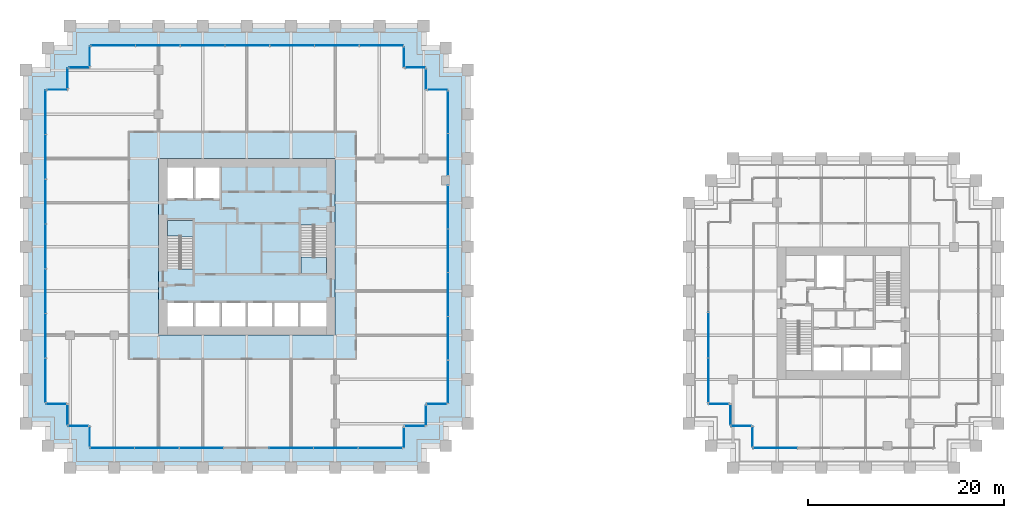
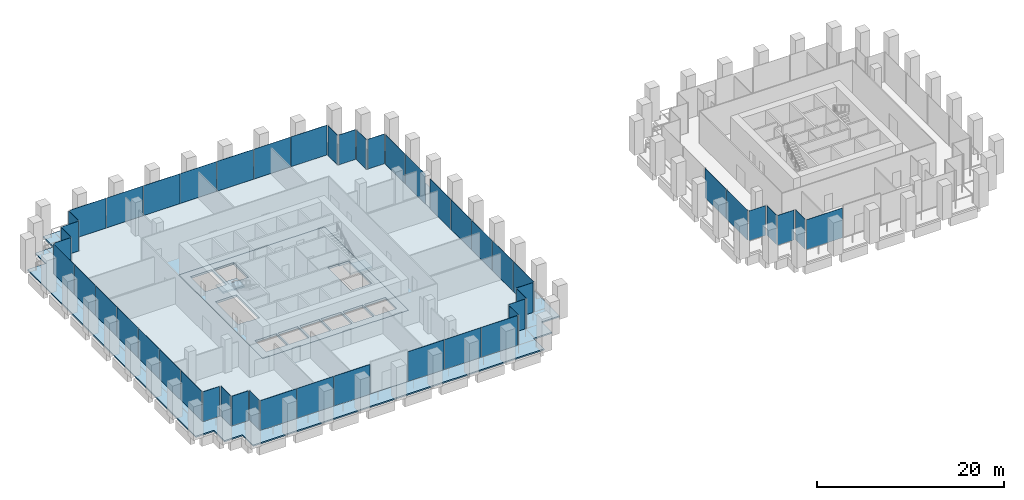
# One storey, part 28 of 36: 50 plates, 5 slabs, 30 elements without a shape of their own.
"""IFC4 building model written with IfcOpenShell, lengths in metres."""

from ifc_helpers import new_model, si_unit, direction, frame, origin, origin_2d, place, context, subcontext, project, spatial, polyline, rectangle, outline, extrude, material, layer, layer_set, type_object, element, aggregate, save


model = new_model("IFC4")

# Units and contexts
model_context = context("Model", 3, precision=1e-05, world=origin(), true_north=direction((0.0, 1.0)))
body_context = subcontext(model_context, "Body", "Model", "MODEL_VIEW")
ifc_project = project(units=[si_unit("LENGTHUNIT", "METRE"), si_unit("AREAUNIT", "SQUARE_METRE"), si_unit("VOLUMEUNIT", "CUBIC_METRE"), si_unit("PLANEANGLEUNIT", "RADIAN"), si_unit("MASSUNIT", "GRAM", prefix="KILO")], contexts=[model_context])

# Site, building, storey
site_placement = place(None, origin())
site = spatial("IfcSite", under=ifc_project, at=site_placement, CompositionType="ELEMENT")
building_placement = place(site_placement, origin())
building = spatial("IfcBuilding", under=site, at=building_placement, Name="Altepetl Exchange Towers", CompositionType="ELEMENT")
storey_placement = place(building_placement, frame((0.0, 0.0, 29.800048828125)))
storey = spatial("IfcBuildingStorey", under=building, at=storey_placement, Name="L06", CompositionType="ELEMENT", Elevation=29.800048828125)

# Slabs
ifc_material_1 = material(Name="Concrete C40/50", Category="concrete")
ifc_layer_1 = layer(ifc_material_1, 0.175048828125)
ifc_layer_set_1 = layer_set([ifc_layer_1], Name="Concrete C40/50")
slab_type_1 = type_object("IfcSlabType", Name="Composite floor slab 175", PredefinedType="FLOOR", material=ifc_layer_set_1)
slab_1_placement = place(storey_placement, frame((0.0, 0.0, -0.175048828125)))
element("IfcSlab", 1, at=slab_1_placement, inside=storey, type_object=slab_type_1, Name="slab:A:L06:strip0", PredefinedType="FLOOR", context=body_context, shape_type="SweptSolid", body=[
    extrude(outline(polyline([(31.25, 67.75), (31.25, 65.5), (29.0, 65.5), (29.0, 33.5), (31.25, 33.5), (31.25, 31.25), (33.5, 31.25), (33.5, 29.0), (65.5, 29.0), (65.5, 31.25), (67.75, 31.25), (67.75, 33.5), (70.0, 33.5), (70.0, 65.5), (67.75, 65.5), (67.75, 67.75), (65.5, 67.75), (65.5, 70.0), (33.5, 70.0), (33.5, 67.75), (31.25, 67.75)]), holes=[polyline([(58.5, 58.5), (58.5, 40.5), (40.5, 40.5), (40.5, 58.5), (58.5, 58.5)])]), origin(), (0.0, 0.0, 1.0), 0.175048828125),
])
ifc_layer_2 = layer(ifc_material_1, 0.27490234375)
ifc_layer_set_2 = layer_set([ifc_layer_2], Name="Concrete C40/50")
slab_type_2 = type_object("IfcSlabType", Name="Core floor slab 275", PredefinedType="FLOOR", material=ifc_layer_set_2)
slab_2_placement = place(storey_placement, frame((0.0, 0.0, -0.275146484375)))
element("IfcSlab", 2, at=slab_2_placement, inside=storey, type_object=slab_type_2, Name="slab:A:L06:core0", PredefinedType="FLOOR", context=body_context, shape_type="SweptSolid", body=[
    extrude(outline(polyline([(40.5, 40.5), (58.5, 40.5), (58.5, 58.5), (40.5, 58.5), (40.5, 40.5)]), holes=[polyline([(41.39990234375, 43.800048828125), (44.06689453125, 43.800048828125), (44.06689453125, 41.39990234375), (41.39990234375, 41.39990234375), (41.39990234375, 43.800048828125)]), polyline([(44.26708984375, 43.800048828125), (46.73291015625, 43.800048828125), (46.73291015625, 41.39990234375), (44.26708984375, 41.39990234375), (44.26708984375, 43.800048828125)]), polyline([(46.93310546875, 43.800048828125), (49.39990234375, 43.800048828125), (49.39990234375, 41.39990234375), (46.93310546875, 41.39990234375), (46.93310546875, 43.800048828125)]), polyline([(52.06689453125, 43.800048828125), (52.06689453125, 41.39990234375), (49.60009765625, 41.39990234375), (49.60009765625, 43.800048828125), (52.06689453125, 43.800048828125)]), polyline([(54.73291015625, 43.800048828125), (54.73291015625, 41.39990234375), (52.26708984375, 41.39990234375), (52.26708984375, 43.800048828125), (54.73291015625, 43.800048828125)]), polyline([(54.93310546875, 43.800048828125), (57.60009765625, 43.800048828125), (57.60009765625, 41.39990234375), (54.93310546875, 41.39990234375), (54.93310546875, 43.800048828125)]), polyline([(55.0, 51.7490234375), (56.35009765625, 51.7490234375), (56.35009765625, 51.64990234375), (57.60009765625, 51.64990234375), (57.60009765625, 46.800048828125), (55.0, 46.800048828125), (55.0, 51.7490234375)]), polyline([(44.0, 47.2509765625), (42.64990234375, 47.2509765625), (42.64990234375, 47.35009765625), (41.39990234375, 47.35009765625), (41.39990234375, 52.199951171875), (44.0, 52.199951171875), (44.0, 47.2509765625)]), polyline([(44.06689453125, 57.60009765625), (44.06689453125, 54.39990234375), (41.39990234375, 54.39990234375), (41.39990234375, 57.60009765625), (44.06689453125, 57.60009765625)]), polyline([(46.73291015625, 57.60009765625), (46.73291015625, 54.39990234375), (44.26708984375, 54.39990234375), (44.26708984375, 57.60009765625), (46.73291015625, 57.60009765625)])]), origin(), (0.0, 0.0, 1.0), 0.275146484375),
])

# Curtain wall, plate
ifc_material_2 = material(Name="Aluminium 6063-T6 glazing", Category="aluminium")
curtain_wall_type = type_object("IfcCurtainWallType", Name="Trading floor glazing system", PredefinedType="NOTDEFINED", material=ifc_material_2)
curtain_wall_1_placement = place(storey_placement, origin())
curtain_wall_1 = element("IfcCurtainWall", 3, at=curtain_wall_1_placement, inside=storey, type_object=curtain_wall_type, Name="CW2 run", PredefinedType="NOTDEFINED")
ifc_material_3 = material(Name="Glass 8-20-8 solar control", Category="glass")
ifc_layer_3 = layer(ifc_material_3, 0.035888671875)
ifc_layer_set_3 = layer_set([ifc_layer_3], Name="Glass 8-20-8 solar control")
plate_type = type_object("IfcPlateType", Name="Glass panel 36 double glazed", PredefinedType="CURTAIN_PANEL", material=ifc_layer_set_3)
plate_1_placement = place(storey_placement, frame((30.175048828125, 65.5, 0.0), z_axis=(0.0, 0.0, 1.0), x_axis=(-1.0, 0.0, 0.0)))
plate_1 = element("IfcPlate", 4, at=plate_1_placement, type_object=plate_type, Name="GP2 panel", PredefinedType="CURTAIN_PANEL", context=body_context, shape_type="SweptSolid", body=[
    extrude(rectangle(XDim=2.030029296875, YDim=0.035888671875, at=origin_2d()), origin(), (0.0, 0.0, 1.0), 3.89990234375),
])
aggregate(curtain_wall_1, [plate_1])

# Curtain wall, plates
curtain_wall_2_placement = place(storey_placement, origin())
curtain_wall_2 = element("IfcCurtainWall", 5, at=curtain_wall_2_placement, inside=storey, type_object=curtain_wall_type, Name="CW2 run", PredefinedType="NOTDEFINED")
plate_2_placement = place(storey_placement, frame((29.0, 63.20654296875, 0.0), z_axis=(0.0, 0.0, 1.0), x_axis=(0.0, -1.0, 0.0)))
plate_2 = element("IfcPlate", 6, at=plate_2_placement, type_object=plate_type, Name="GP2 panel", PredefinedType="CURTAIN_PANEL", context=body_context, shape_type="SweptSolid", body=[
    extrude(rectangle(XDim=4.467041015625, YDim=0.035888671875, at=origin_2d()), origin(), (0.0, 0.0, 1.0), 3.89990234375),
])
plate_3_placement = place(storey_placement, frame((29.0, 58.664306640625, 0.0), z_axis=(0.0, 0.0, 1.0), x_axis=(0.0, -1.0, 0.0)))
plate_3 = element("IfcPlate", 7, at=plate_3_placement, type_object=plate_type, Name="GP2 panel", PredefinedType="CURTAIN_PANEL", context=body_context, shape_type="SweptSolid", body=[
    extrude(rectangle(XDim=4.4970703125, YDim=0.035888671875, at=origin_2d()), origin(), (0.0, 0.0, 1.0), 3.89990234375),
])
plate_4_placement = place(storey_placement, frame((29.0, 54.107177734375, 0.0), z_axis=(0.0, 0.0, 1.0), x_axis=(0.0, -1.0, 0.0)))
plate_4 = element("IfcPlate", 8, at=plate_4_placement, type_object=plate_type, Name="GP2 panel", PredefinedType="CURTAIN_PANEL", context=body_context, shape_type="SweptSolid", body=[
    extrude(rectangle(XDim=4.4970703125, YDim=0.035888671875, at=origin_2d()), origin(), (0.0, 0.0, 1.0), 3.89990234375),
])
plate_5_placement = place(storey_placement, frame((29.0, 49.550048828125, 0.0), z_axis=(0.0, 0.0, 1.0), x_axis=(0.0, -1.0, 0.0)))
plate_5 = element("IfcPlate", 9, at=plate_5_placement, type_object=plate_type, Name="GP2 panel", PredefinedType="CURTAIN_PANEL", context=body_context, shape_type="SweptSolid", body=[
    extrude(rectangle(XDim=4.4970703125, YDim=0.035888671875, at=origin_2d()), origin(), (0.0, 0.0, 1.0), 3.89990234375),
])
plate_6_placement = place(storey_placement, frame((29.0, 44.992919921875, 0.0), z_axis=(0.0, 0.0, 1.0), x_axis=(0.0, -1.0, 0.0)))
plate_6 = element("IfcPlate", 10, at=plate_6_placement, type_object=plate_type, Name="GP2 panel", PredefinedType="CURTAIN_PANEL", context=body_context, shape_type="SweptSolid", body=[
    extrude(rectangle(XDim=4.4970703125, YDim=0.035888671875, at=origin_2d()), origin(), (0.0, 0.0, 1.0), 3.89990234375),
])
plate_7_placement = place(storey_placement, frame((29.0, 40.435791015625, 0.0), z_axis=(0.0, 0.0, 1.0), x_axis=(0.0, -1.0, 0.0)))
plate_7 = element("IfcPlate", 11, at=plate_7_placement, type_object=plate_type, Name="GP2 panel", PredefinedType="CURTAIN_PANEL", context=body_context, shape_type="SweptSolid", body=[
    extrude(rectangle(XDim=4.4970703125, YDim=0.035888671875, at=origin_2d()), origin(), (0.0, 0.0, 1.0), 3.89990234375),
])
plate_8_placement = place(storey_placement, frame((29.0, 35.8935546875, 0.0), z_axis=(0.0, 0.0, 1.0), x_axis=(0.0, -1.0, 0.0)))
plate_8 = element("IfcPlate", 12, at=plate_8_placement, type_object=plate_type, Name="GP2 panel", PredefinedType="CURTAIN_PANEL", context=body_context, shape_type="SweptSolid", body=[
    extrude(rectangle(XDim=4.467041015625, YDim=0.035888671875, at=origin_2d()), origin(), (0.0, 0.0, 1.0), 3.89990234375),
])
aggregate(curtain_wall_2, [plate_2, plate_3, plate_4, plate_5, plate_6, plate_7, plate_8])

# Curtain wall, plate
curtain_wall_3_placement = place(storey_placement, origin())
curtain_wall_3 = element("IfcCurtainWall", 13, at=curtain_wall_3_placement, inside=storey, type_object=curtain_wall_type, Name="CW2 run", PredefinedType="NOTDEFINED")
plate_9_placement = place(storey_placement, frame((30.074951171875, 33.5, 0.0)))
plate_9 = element("IfcPlate", 14, at=plate_9_placement, type_object=plate_type, Name="GP2 panel", PredefinedType="CURTAIN_PANEL", context=body_context, shape_type="SweptSolid", body=[
    extrude(rectangle(XDim=2.030029296875, YDim=0.035888671875, at=origin_2d()), origin(), (0.0, 0.0, 1.0), 3.89990234375),
])
aggregate(curtain_wall_3, [plate_9])

curtain_wall_4_placement = place(storey_placement, origin())
curtain_wall_4 = element("IfcCurtainWall", 15, at=curtain_wall_4_placement, inside=storey, type_object=curtain_wall_type, Name="CW2 run", PredefinedType="NOTDEFINED")
plate_10_placement = place(storey_placement, frame((31.25, 32.425048828125, 0.0), z_axis=(0.0, 0.0, 1.0), x_axis=(0.0, -1.0, 0.0)))
plate_10 = element("IfcPlate", 16, at=plate_10_placement, type_object=plate_type, Name="GP2 panel", PredefinedType="CURTAIN_PANEL", context=body_context, shape_type="SweptSolid", body=[
    extrude(rectangle(XDim=2.030029296875, YDim=0.035888671875, at=origin_2d()), origin(), (0.0, 0.0, 1.0), 3.89990234375),
])
aggregate(curtain_wall_4, [plate_10])

curtain_wall_5_placement = place(storey_placement, origin())
curtain_wall_5 = element("IfcCurtainWall", 17, at=curtain_wall_5_placement, inside=storey, type_object=curtain_wall_type, Name="CW2 run", PredefinedType="NOTDEFINED")
plate_11_placement = place(storey_placement, frame((32.324951171875, 31.25, 0.0)))
plate_11 = element("IfcPlate", 18, at=plate_11_placement, type_object=plate_type, Name="GP2 panel", PredefinedType="CURTAIN_PANEL", context=body_context, shape_type="SweptSolid", body=[
    extrude(rectangle(XDim=2.030029296875, YDim=0.035888671875, at=origin_2d()), origin(), (0.0, 0.0, 1.0), 3.89990234375),
])
aggregate(curtain_wall_5, [plate_11])

curtain_wall_6_placement = place(storey_placement, origin())
curtain_wall_6 = element("IfcCurtainWall", 19, at=curtain_wall_6_placement, inside=storey, type_object=curtain_wall_type, Name="CW2 run", PredefinedType="NOTDEFINED")
plate_12_placement = place(storey_placement, frame((33.5, 30.175048828125, 0.0), z_axis=(0.0, 0.0, 1.0), x_axis=(0.0, -1.0, 0.0)))
plate_12 = element("IfcPlate", 20, at=plate_12_placement, type_object=plate_type, Name="GP2 panel", PredefinedType="CURTAIN_PANEL", context=body_context, shape_type="SweptSolid", body=[
    extrude(rectangle(XDim=2.030029296875, YDim=0.035888671875, at=origin_2d()), origin(), (0.0, 0.0, 1.0), 3.89990234375),
])
aggregate(curtain_wall_6, [plate_12])

# Curtain wall, plates
curtain_wall_7_placement = place(storey_placement, origin())
curtain_wall_7 = element("IfcCurtainWall", 21, at=curtain_wall_7_placement, inside=storey, type_object=curtain_wall_type, Name="CW2 run", PredefinedType="NOTDEFINED")
plate_13_placement = place(storey_placement, frame((35.79345703125, 29.0, 0.0)))
plate_13 = element("IfcPlate", 22, at=plate_13_placement, type_object=plate_type, Name="GP2 panel", PredefinedType="CURTAIN_PANEL", context=body_context, shape_type="SweptSolid", body=[
    extrude(rectangle(XDim=4.467041015625, YDim=0.035888671875, at=origin_2d()), origin(), (0.0, 0.0, 1.0), 3.89990234375),
])
plate_14_placement = place(storey_placement, frame((40.335693359375, 29.0, 0.0)))
plate_14 = element("IfcPlate", 23, at=plate_14_placement, type_object=plate_type, Name="GP2 panel", PredefinedType="CURTAIN_PANEL", context=body_context, shape_type="SweptSolid", body=[
    extrude(rectangle(XDim=4.4970703125, YDim=0.035888671875, at=origin_2d()), origin(), (0.0, 0.0, 1.0), 3.89990234375),
])
plate_15_placement = place(storey_placement, frame((44.8779296875, 29.0, 0.0)))
plate_15 = element("IfcPlate", 24, at=plate_15_placement, type_object=plate_type, Name="GP2 panel", PredefinedType="CURTAIN_PANEL", context=body_context, shape_type="SweptSolid", body=[
    extrude(rectangle(XDim=4.467041015625, YDim=0.035888671875, at=origin_2d()), origin(), (0.0, 0.0, 1.0), 3.89990234375),
])
aggregate(curtain_wall_7, [plate_13, plate_14, plate_15])

curtain_wall_8_placement = place(storey_placement, origin())
curtain_wall_8 = element("IfcCurtainWall", 25, at=curtain_wall_8_placement, inside=storey, type_object=curtain_wall_type, Name="CW2 run", PredefinedType="NOTDEFINED")
plate_16_placement = place(storey_placement, frame((54.022216796875, 29.0, 0.0)))
plate_16 = element("IfcPlate", 26, at=plate_16_placement, type_object=plate_type, Name="GP2 panel", PredefinedType="CURTAIN_PANEL", context=body_context, shape_type="SweptSolid", body=[
    extrude(rectangle(XDim=4.467041015625, YDim=0.035888671875, at=origin_2d()), origin(), (0.0, 0.0, 1.0), 3.89990234375),
])
plate_17_placement = place(storey_placement, frame((58.564208984375, 29.0, 0.0)))
plate_17 = element("IfcPlate", 27, at=plate_17_placement, type_object=plate_type, Name="GP2 panel", PredefinedType="CURTAIN_PANEL", context=body_context, shape_type="SweptSolid", body=[
    extrude(rectangle(XDim=4.4970703125, YDim=0.035888671875, at=origin_2d()), origin(), (0.0, 0.0, 1.0), 3.89990234375),
])
plate_18_placement = place(storey_placement, frame((63.1064453125, 29.0, 0.0)))
plate_18 = element("IfcPlate", 28, at=plate_18_placement, type_object=plate_type, Name="GP2 panel", PredefinedType="CURTAIN_PANEL", context=body_context, shape_type="SweptSolid", body=[
    extrude(rectangle(XDim=4.467041015625, YDim=0.035888671875, at=origin_2d()), origin(), (0.0, 0.0, 1.0), 3.89990234375),
])
aggregate(curtain_wall_8, [plate_16, plate_17, plate_18])

# Curtain wall, plate
curtain_wall_9_placement = place(storey_placement, origin())
curtain_wall_9 = element("IfcCurtainWall", 29, at=curtain_wall_9_placement, inside=storey, type_object=curtain_wall_type, Name="CW2 run", PredefinedType="NOTDEFINED")
plate_19_placement = place(storey_placement, frame((65.5, 30.074951171875, 0.0), z_axis=(0.0, 0.0, 1.0), x_axis=(0.0, 1.0, 0.0)))
plate_19 = element("IfcPlate", 30, at=plate_19_placement, type_object=plate_type, Name="GP2 panel", PredefinedType="CURTAIN_PANEL", context=body_context, shape_type="SweptSolid", body=[
    extrude(rectangle(XDim=2.030029296875, YDim=0.035888671875, at=origin_2d()), origin(), (0.0, 0.0, 1.0), 3.89990234375),
])
aggregate(curtain_wall_9, [plate_19])

curtain_wall_10_placement = place(storey_placement, origin())
curtain_wall_10 = element("IfcCurtainWall", 31, at=curtain_wall_10_placement, inside=storey, type_object=curtain_wall_type, Name="CW2 run", PredefinedType="NOTDEFINED")
plate_20_placement = place(storey_placement, frame((66.574951171875, 31.25, 0.0)))
plate_20 = element("IfcPlate", 32, at=plate_20_placement, type_object=plate_type, Name="GP2 panel", PredefinedType="CURTAIN_PANEL", context=body_context, shape_type="SweptSolid", body=[
    extrude(rectangle(XDim=2.030029296875, YDim=0.035888671875, at=origin_2d()), origin(), (0.0, 0.0, 1.0), 3.89990234375),
])
aggregate(curtain_wall_10, [plate_20])

curtain_wall_11_placement = place(storey_placement, origin())
curtain_wall_11 = element("IfcCurtainWall", 33, at=curtain_wall_11_placement, inside=storey, type_object=curtain_wall_type, Name="CW2 run", PredefinedType="NOTDEFINED")
plate_21_placement = place(storey_placement, frame((67.75, 32.324951171875, 0.0), z_axis=(0.0, 0.0, 1.0), x_axis=(0.0, 1.0, 0.0)))
plate_21 = element("IfcPlate", 34, at=plate_21_placement, type_object=plate_type, Name="GP2 panel", PredefinedType="CURTAIN_PANEL", context=body_context, shape_type="SweptSolid", body=[
    extrude(rectangle(XDim=2.030029296875, YDim=0.035888671875, at=origin_2d()), origin(), (0.0, 0.0, 1.0), 3.89990234375),
])
aggregate(curtain_wall_11, [plate_21])

curtain_wall_12_placement = place(storey_placement, origin())
curtain_wall_12 = element("IfcCurtainWall", 35, at=curtain_wall_12_placement, inside=storey, type_object=curtain_wall_type, Name="CW2 run", PredefinedType="NOTDEFINED")
plate_22_placement = place(storey_placement, frame((68.824951171875, 33.5, 0.0)))
plate_22 = element("IfcPlate", 36, at=plate_22_placement, type_object=plate_type, Name="GP2 panel", PredefinedType="CURTAIN_PANEL", context=body_context, shape_type="SweptSolid", body=[
    extrude(rectangle(XDim=2.030029296875, YDim=0.035888671875, at=origin_2d()), origin(), (0.0, 0.0, 1.0), 3.89990234375),
])
aggregate(curtain_wall_12, [plate_22])

# Curtain wall, plates
curtain_wall_13_placement = place(storey_placement, origin())
curtain_wall_13 = element("IfcCurtainWall", 37, at=curtain_wall_13_placement, inside=storey, type_object=curtain_wall_type, Name="CW2 run", PredefinedType="NOTDEFINED")
plate_23_placement = place(storey_placement, frame((70.0, 35.742919921875, 0.0), z_axis=(0.0, 0.0, 1.0), x_axis=(0.0, 1.0, 0.0)))
plate_23 = element("IfcPlate", 38, at=plate_23_placement, type_object=plate_type, Name="GP2 panel", PredefinedType="CURTAIN_PANEL", context=body_context, shape_type="SweptSolid", body=[
    extrude(rectangle(XDim=4.365966796875, YDim=0.035888671875, at=origin_2d()), origin(), (0.0, 0.0, 1.0), 3.89990234375),
])
plate_24_placement = place(storey_placement, frame((70.0, 40.18408203125, 0.0), z_axis=(0.0, 0.0, 1.0), x_axis=(0.0, 1.0, 0.0)))
plate_24 = element("IfcPlate", 39, at=plate_24_placement, type_object=plate_type, Name="GP2 panel", PredefinedType="CURTAIN_PANEL", context=body_context, shape_type="SweptSolid", body=[
    extrude(rectangle(XDim=4.39599609375, YDim=0.035888671875, at=origin_2d()), origin(), (0.0, 0.0, 1.0), 3.89990234375),
])
plate_25_placement = place(storey_placement, frame((70.0, 44.639892578125, 0.0), z_axis=(0.0, 0.0, 1.0), x_axis=(0.0, 1.0, 0.0)))
plate_25 = element("IfcPlate", 40, at=plate_25_placement, type_object=plate_type, Name="GP2 panel", PredefinedType="CURTAIN_PANEL", context=body_context, shape_type="SweptSolid", body=[
    extrude(rectangle(XDim=4.39599609375, YDim=0.035888671875, at=origin_2d()), origin(), (0.0, 0.0, 1.0), 3.89990234375),
])
plate_26_placement = place(storey_placement, frame((70.0, 49.095947265625, 0.0), z_axis=(0.0, 0.0, 1.0), x_axis=(0.0, 1.0, 0.0)))
plate_26 = element("IfcPlate", 41, at=plate_26_placement, type_object=plate_type, Name="GP2 panel", PredefinedType="CURTAIN_PANEL", context=body_context, shape_type="SweptSolid", body=[
    extrude(rectangle(XDim=4.39599609375, YDim=0.035888671875, at=origin_2d()), origin(), (0.0, 0.0, 1.0), 3.89990234375),
])
plate_27_placement = place(storey_placement, frame((70.0, 53.537109375, 0.0), z_axis=(0.0, 0.0, 1.0), x_axis=(0.0, 1.0, 0.0)))
plate_27 = element("IfcPlate", 42, at=plate_27_placement, type_object=plate_type, Name="GP2 panel", PredefinedType="CURTAIN_PANEL", context=body_context, shape_type="SweptSolid", body=[
    extrude(rectangle(XDim=4.365966796875, YDim=0.035888671875, at=origin_2d()), origin(), (0.0, 0.0, 1.0), 3.89990234375),
])
aggregate(curtain_wall_13, [plate_23, plate_24, plate_25, plate_26, plate_27])

curtain_wall_14_placement = place(storey_placement, origin())
curtain_wall_14 = element("IfcCurtainWall", 43, at=curtain_wall_14_placement, inside=storey, type_object=curtain_wall_type, Name="CW2 run", PredefinedType="NOTDEFINED")
plate_28_placement = place(storey_placement, frame((70.0, 58.905029296875, 0.0), z_axis=(0.0, 0.0, 1.0), x_axis=(0.0, 1.0, 0.0)))
plate_28 = element("IfcPlate", 44, at=plate_28_placement, type_object=plate_type, Name="GP2 panel", PredefinedType="CURTAIN_PANEL", context=body_context, shape_type="SweptSolid", body=[
    extrude(rectangle(XDim=4.25, YDim=0.035888671875, at=origin_2d()), origin(), (0.0, 0.0, 1.0), 3.89990234375),
])
plate_29_placement = place(storey_placement, frame((70.0, 63.215087890625, 0.0), z_axis=(0.0, 0.0, 1.0), x_axis=(0.0, 1.0, 0.0)))
plate_29 = element("IfcPlate", 45, at=plate_29_placement, type_object=plate_type, Name="GP2 panel", PredefinedType="CURTAIN_PANEL", context=body_context, shape_type="SweptSolid", body=[
    extrude(rectangle(XDim=4.25, YDim=0.035888671875, at=origin_2d()), origin(), (0.0, 0.0, 1.0), 3.89990234375),
])
aggregate(curtain_wall_14, [plate_28, plate_29])

# Curtain wall, plate
curtain_wall_15_placement = place(storey_placement, origin())
curtain_wall_15 = element("IfcCurtainWall", 46, at=curtain_wall_15_placement, inside=storey, type_object=curtain_wall_type, Name="CW2 run", PredefinedType="NOTDEFINED")
plate_30_placement = place(storey_placement, frame((68.925048828125, 65.5, 0.0), z_axis=(0.0, 0.0, 1.0), x_axis=(-1.0, 0.0, 0.0)))
plate_30 = element("IfcPlate", 47, at=plate_30_placement, type_object=plate_type, Name="GP2 panel", PredefinedType="CURTAIN_PANEL", context=body_context, shape_type="SweptSolid", body=[
    extrude(rectangle(XDim=2.030029296875, YDim=0.035888671875, at=origin_2d()), origin(), (0.0, 0.0, 1.0), 3.89990234375),
])
aggregate(curtain_wall_15, [plate_30])

curtain_wall_16_placement = place(storey_placement, origin())
curtain_wall_16 = element("IfcCurtainWall", 48, at=curtain_wall_16_placement, inside=storey, type_object=curtain_wall_type, Name="CW2 run", PredefinedType="NOTDEFINED")
plate_31_placement = place(storey_placement, frame((67.75, 66.574951171875, 0.0), z_axis=(0.0, 0.0, 1.0), x_axis=(0.0, 1.0, 0.0)))
plate_31 = element("IfcPlate", 49, at=plate_31_placement, type_object=plate_type, Name="GP2 panel", PredefinedType="CURTAIN_PANEL", context=body_context, shape_type="SweptSolid", body=[
    extrude(rectangle(XDim=2.030029296875, YDim=0.035888671875, at=origin_2d()), origin(), (0.0, 0.0, 1.0), 3.89990234375),
])
aggregate(curtain_wall_16, [plate_31])

curtain_wall_17_placement = place(storey_placement, origin())
curtain_wall_17 = element("IfcCurtainWall", 50, at=curtain_wall_17_placement, inside=storey, type_object=curtain_wall_type, Name="CW2 run", PredefinedType="NOTDEFINED")
plate_32_placement = place(storey_placement, frame((66.675048828125, 67.75, 0.0), z_axis=(0.0, 0.0, 1.0), x_axis=(-1.0, 0.0, 0.0)))
plate_32 = element("IfcPlate", 51, at=plate_32_placement, type_object=plate_type, Name="GP2 panel", PredefinedType="CURTAIN_PANEL", context=body_context, shape_type="SweptSolid", body=[
    extrude(rectangle(XDim=2.030029296875, YDim=0.035888671875, at=origin_2d()), origin(), (0.0, 0.0, 1.0), 3.89990234375),
])
aggregate(curtain_wall_17, [plate_32])

curtain_wall_18_placement = place(storey_placement, origin())
curtain_wall_18 = element("IfcCurtainWall", 52, at=curtain_wall_18_placement, inside=storey, type_object=curtain_wall_type, Name="CW2 run", PredefinedType="NOTDEFINED")
plate_33_placement = place(storey_placement, frame((65.5, 68.824951171875, 0.0), z_axis=(0.0, 0.0, 1.0), x_axis=(0.0, 1.0, 0.0)))
plate_33 = element("IfcPlate", 53, at=plate_33_placement, type_object=plate_type, Name="GP2 panel", PredefinedType="CURTAIN_PANEL", context=body_context, shape_type="SweptSolid", body=[
    extrude(rectangle(XDim=2.030029296875, YDim=0.035888671875, at=origin_2d()), origin(), (0.0, 0.0, 1.0), 3.89990234375),
])
aggregate(curtain_wall_18, [plate_33])

# Curtain wall, plates
curtain_wall_19_placement = place(storey_placement, origin())
curtain_wall_19 = element("IfcCurtainWall", 54, at=curtain_wall_19_placement, inside=storey, type_object=curtain_wall_type, Name="CW2 run", PredefinedType="NOTDEFINED")
plate_34_placement = place(storey_placement, frame((63.20654296875, 70.0, 0.0), z_axis=(0.0, 0.0, 1.0), x_axis=(-1.0, 0.0, 0.0)))
plate_34 = element("IfcPlate", 55, at=plate_34_placement, type_object=plate_type, Name="GP2 panel", PredefinedType="CURTAIN_PANEL", context=body_context, shape_type="SweptSolid", body=[
    extrude(rectangle(XDim=4.467041015625, YDim=0.035888671875, at=origin_2d()), origin(), (0.0, 0.0, 1.0), 3.89990234375),
])
plate_35_placement = place(storey_placement, frame((58.664306640625, 70.0, 0.0), z_axis=(0.0, 0.0, 1.0), x_axis=(-1.0, 0.0, 0.0)))
plate_35 = element("IfcPlate", 56, at=plate_35_placement, type_object=plate_type, Name="GP2 panel", PredefinedType="CURTAIN_PANEL", context=body_context, shape_type="SweptSolid", body=[
    extrude(rectangle(XDim=4.4970703125, YDim=0.035888671875, at=origin_2d()), origin(), (0.0, 0.0, 1.0), 3.89990234375),
])
plate_36_placement = place(storey_placement, frame((54.107177734375, 70.0, 0.0), z_axis=(0.0, 0.0, 1.0), x_axis=(-1.0, 0.0, 0.0)))
plate_36 = element("IfcPlate", 57, at=plate_36_placement, type_object=plate_type, Name="GP2 panel", PredefinedType="CURTAIN_PANEL", context=body_context, shape_type="SweptSolid", body=[
    extrude(rectangle(XDim=4.4970703125, YDim=0.035888671875, at=origin_2d()), origin(), (0.0, 0.0, 1.0), 3.89990234375),
])
plate_37_placement = place(storey_placement, frame((49.550048828125, 70.0, 0.0), z_axis=(0.0, 0.0, 1.0), x_axis=(-1.0, 0.0, 0.0)))
plate_37 = element("IfcPlate", 58, at=plate_37_placement, type_object=plate_type, Name="GP2 panel", PredefinedType="CURTAIN_PANEL", context=body_context, shape_type="SweptSolid", body=[
    extrude(rectangle(XDim=4.4970703125, YDim=0.035888671875, at=origin_2d()), origin(), (0.0, 0.0, 1.0), 3.89990234375),
])
plate_38_placement = place(storey_placement, frame((44.992919921875, 70.0, 0.0), z_axis=(0.0, 0.0, 1.0), x_axis=(-1.0, 0.0, 0.0)))
plate_38 = element("IfcPlate", 59, at=plate_38_placement, type_object=plate_type, Name="GP2 panel", PredefinedType="CURTAIN_PANEL", context=body_context, shape_type="SweptSolid", body=[
    extrude(rectangle(XDim=4.4970703125, YDim=0.035888671875, at=origin_2d()), origin(), (0.0, 0.0, 1.0), 3.89990234375),
])
plate_39_placement = place(storey_placement, frame((40.435791015625, 70.0, 0.0), z_axis=(0.0, 0.0, 1.0), x_axis=(-1.0, 0.0, 0.0)))
plate_39 = element("IfcPlate", 60, at=plate_39_placement, type_object=plate_type, Name="GP2 panel", PredefinedType="CURTAIN_PANEL", context=body_context, shape_type="SweptSolid", body=[
    extrude(rectangle(XDim=4.4970703125, YDim=0.035888671875, at=origin_2d()), origin(), (0.0, 0.0, 1.0), 3.89990234375),
])
plate_40_placement = place(storey_placement, frame((35.8935546875, 70.0, 0.0), z_axis=(0.0, 0.0, 1.0), x_axis=(-1.0, 0.0, 0.0)))
plate_40 = element("IfcPlate", 61, at=plate_40_placement, type_object=plate_type, Name="GP2 panel", PredefinedType="CURTAIN_PANEL", context=body_context, shape_type="SweptSolid", body=[
    extrude(rectangle(XDim=4.467041015625, YDim=0.035888671875, at=origin_2d()), origin(), (0.0, 0.0, 1.0), 3.89990234375),
])
aggregate(curtain_wall_19, [plate_34, plate_35, plate_36, plate_37, plate_38, plate_39, plate_40])

# Curtain wall, plate
curtain_wall_20_placement = place(storey_placement, origin())
curtain_wall_20 = element("IfcCurtainWall", 62, at=curtain_wall_20_placement, inside=storey, type_object=curtain_wall_type, Name="CW2 run", PredefinedType="NOTDEFINED")
plate_41_placement = place(storey_placement, frame((33.5, 68.925048828125, 0.0), z_axis=(0.0, 0.0, 1.0), x_axis=(0.0, -1.0, 0.0)))
plate_41 = element("IfcPlate", 63, at=plate_41_placement, type_object=plate_type, Name="GP2 panel", PredefinedType="CURTAIN_PANEL", context=body_context, shape_type="SweptSolid", body=[
    extrude(rectangle(XDim=2.030029296875, YDim=0.035888671875, at=origin_2d()), origin(), (0.0, 0.0, 1.0), 3.89990234375),
])
aggregate(curtain_wall_20, [plate_41])

curtain_wall_21_placement = place(storey_placement, origin())
curtain_wall_21 = element("IfcCurtainWall", 64, at=curtain_wall_21_placement, inside=storey, type_object=curtain_wall_type, Name="CW2 run", PredefinedType="NOTDEFINED")
plate_42_placement = place(storey_placement, frame((32.425048828125, 67.75, 0.0), z_axis=(0.0, 0.0, 1.0), x_axis=(-1.0, 0.0, 0.0)))
plate_42 = element("IfcPlate", 65, at=plate_42_placement, type_object=plate_type, Name="GP2 panel", PredefinedType="CURTAIN_PANEL", context=body_context, shape_type="SweptSolid", body=[
    extrude(rectangle(XDim=2.030029296875, YDim=0.035888671875, at=origin_2d()), origin(), (0.0, 0.0, 1.0), 3.89990234375),
])
aggregate(curtain_wall_21, [plate_42])

curtain_wall_22_placement = place(storey_placement, origin())
curtain_wall_22 = element("IfcCurtainWall", 66, at=curtain_wall_22_placement, inside=storey, type_object=curtain_wall_type, Name="CW2 run", PredefinedType="NOTDEFINED")
plate_43_placement = place(storey_placement, frame((31.25, 66.675048828125, 0.0), z_axis=(0.0, 0.0, 1.0), x_axis=(0.0, -1.0, 0.0)))
plate_43 = element("IfcPlate", 67, at=plate_43_placement, type_object=plate_type, Name="GP2 panel", PredefinedType="CURTAIN_PANEL", context=body_context, shape_type="SweptSolid", body=[
    extrude(rectangle(XDim=2.030029296875, YDim=0.035888671875, at=origin_2d()), origin(), (0.0, 0.0, 1.0), 3.89990234375),
])
aggregate(curtain_wall_22, [plate_43])

# Curtain wall, plates
curtain_wall_23_placement = place(storey_placement, origin())
curtain_wall_23 = element("IfcCurtainWall", 68, at=curtain_wall_23_placement, inside=storey, type_object=curtain_wall_type, Name="CW2 run", PredefinedType="NOTDEFINED")
plate_44_placement = place(storey_placement, frame((96.5, 40.5, 0.0), z_axis=(0.0, 0.0, 1.0), x_axis=(0.0, -1.0, 0.0)))
plate_44 = element("IfcPlate", 69, at=plate_44_placement, type_object=plate_type, Name="GP2 panel", PredefinedType="CURTAIN_PANEL", context=body_context, shape_type="SweptSolid", body=[
    extrude(rectangle(XDim=4.5400390625, YDim=0.035888671875, at=origin_2d()), origin(), (0.0, 0.0, 1.0), 3.89990234375),
])
plate_45_placement = place(storey_placement, frame((96.5, 35.9150390625, 0.0), z_axis=(0.0, 0.0, 1.0), x_axis=(0.0, -1.0, 0.0)))
plate_45 = element("IfcPlate", 70, at=plate_45_placement, type_object=plate_type, Name="GP2 panel", PredefinedType="CURTAIN_PANEL", context=body_context, shape_type="SweptSolid", body=[
    extrude(rectangle(XDim=4.510009765625, YDim=0.035888671875, at=origin_2d()), origin(), (0.0, 0.0, 1.0), 3.89990234375),
])
aggregate(curtain_wall_23, [plate_44, plate_45])

# Curtain wall, plate
curtain_wall_24_placement = place(storey_placement, origin())
curtain_wall_24 = element("IfcCurtainWall", 71, at=curtain_wall_24_placement, inside=storey, type_object=curtain_wall_type, Name="CW2 run", PredefinedType="NOTDEFINED")
plate_46_placement = place(storey_placement, frame((97.574951171875, 33.5, 0.0)))
plate_46 = element("IfcPlate", 72, at=plate_46_placement, type_object=plate_type, Name="GP2 panel", PredefinedType="CURTAIN_PANEL", context=body_context, shape_type="SweptSolid", body=[
    extrude(rectangle(XDim=2.030029296875, YDim=0.035888671875, at=origin_2d()), origin(), (0.0, 0.0, 1.0), 3.89990234375),
])
aggregate(curtain_wall_24, [plate_46])

curtain_wall_25_placement = place(storey_placement, origin())
curtain_wall_25 = element("IfcCurtainWall", 73, at=curtain_wall_25_placement, inside=storey, type_object=curtain_wall_type, Name="CW2 run", PredefinedType="NOTDEFINED")
plate_47_placement = place(storey_placement, frame((98.75, 32.425048828125, 0.0), z_axis=(0.0, 0.0, 1.0), x_axis=(0.0, -1.0, 0.0)))
plate_47 = element("IfcPlate", 74, at=plate_47_placement, type_object=plate_type, Name="GP2 panel", PredefinedType="CURTAIN_PANEL", context=body_context, shape_type="SweptSolid", body=[
    extrude(rectangle(XDim=2.030029296875, YDim=0.035888671875, at=origin_2d()), origin(), (0.0, 0.0, 1.0), 3.89990234375),
])
aggregate(curtain_wall_25, [plate_47])

curtain_wall_26_placement = place(storey_placement, origin())
curtain_wall_26 = element("IfcCurtainWall", 75, at=curtain_wall_26_placement, inside=storey, type_object=curtain_wall_type, Name="CW2 run", PredefinedType="NOTDEFINED")
plate_48_placement = place(storey_placement, frame((99.824951171875, 31.25, 0.0)))
plate_48 = element("IfcPlate", 76, at=plate_48_placement, type_object=plate_type, Name="GP2 panel", PredefinedType="CURTAIN_PANEL", context=body_context, shape_type="SweptSolid", body=[
    extrude(rectangle(XDim=2.030029296875, YDim=0.035888671875, at=origin_2d()), origin(), (0.0, 0.0, 1.0), 3.89990234375),
])
aggregate(curtain_wall_26, [plate_48])

curtain_wall_27_placement = place(storey_placement, origin())
curtain_wall_27 = element("IfcCurtainWall", 77, at=curtain_wall_27_placement, inside=storey, type_object=curtain_wall_type, Name="CW2 run", PredefinedType="NOTDEFINED")
plate_49_placement = place(storey_placement, frame((101.0, 30.175048828125, 0.0), z_axis=(0.0, 0.0, 1.0), x_axis=(0.0, -1.0, 0.0)))
plate_49 = element("IfcPlate", 78, at=plate_49_placement, type_object=plate_type, Name="GP2 panel", PredefinedType="CURTAIN_PANEL", context=body_context, shape_type="SweptSolid", body=[
    extrude(rectangle(XDim=2.030029296875, YDim=0.035888671875, at=origin_2d()), origin(), (0.0, 0.0, 1.0), 3.89990234375),
])
aggregate(curtain_wall_27, [plate_49])

curtain_wall_28_placement = place(storey_placement, origin())
curtain_wall_28 = element("IfcCurtainWall", 79, at=curtain_wall_28_placement, inside=storey, type_object=curtain_wall_type, Name="CW2 run", PredefinedType="NOTDEFINED")
plate_50_placement = place(storey_placement, frame((103.300048828125, 29.0, 0.0)))
plate_50 = element("IfcPlate", 80, at=plate_50_placement, type_object=plate_type, Name="GP2 panel", PredefinedType="CURTAIN_PANEL", context=body_context, shape_type="SweptSolid", body=[
    extrude(rectangle(XDim=4.47998046875, YDim=0.035888671875, at=origin_2d()), origin(), (0.0, 0.0, 1.0), 3.89990234375),
])
aggregate(curtain_wall_28, [plate_50])

# Slab
ifc_layer_4 = layer(ifc_material_1, 0.175048828125)
ifc_layer_set_4 = layer_set([ifc_layer_4], Name="Concrete C40/50")
slab_type_3 = type_object("IfcSlabType", Name="Loggia slab 175", PredefinedType="FLOOR", material=ifc_layer_set_4)
slab_3_placement = place(storey_placement, frame((0.0, 0.0, -0.175048828125)))
element("IfcSlab", 81, at=slab_3_placement, inside=storey, type_object=slab_type_3, Name="slab:A:L06:loggia0", PredefinedType="FLOOR", context=body_context, shape_type="SweptSolid", body=[
    extrude(outline(polyline([(29.25, 67.5), (27.0, 67.5), (27.0, 40.5), (27.0, 31.5), (29.25, 31.5), (29.25, 29.25), (31.5, 29.25), (31.5, 27.0), (58.5, 27.0), (67.5, 27.0), (67.5, 29.25), (69.75, 29.25), (69.75, 31.5), (72.0, 31.5), (72.0, 58.5), (72.0, 67.5), (69.75, 67.5), (69.75, 69.75), (67.5, 69.75), (67.5, 72.0), (40.5, 72.0), (31.5, 72.0), (31.5, 69.75), (29.25, 69.75), (29.25, 67.5)]), holes=[polyline([(29.0, 65.5), (31.25, 65.5), (31.25, 67.75), (33.5, 67.75), (33.5, 70.0), (65.5, 70.0), (65.5, 67.75), (67.75, 67.75), (67.75, 65.5), (70.0, 65.5), (70.0, 33.5), (67.75, 33.5), (67.75, 31.25), (65.5, 31.25), (65.5, 29.0), (33.5, 29.0), (33.5, 31.25), (31.25, 31.25), (31.25, 33.5), (29.0, 33.5), (29.0, 65.5)])]), origin(), (0.0, 0.0, 1.0), 0.175048828125),
])

# Stair, slab
stair_type = type_object("IfcStairType", Name="Exit stair 1250 flights dogleg", PredefinedType="HALF_TURN_STAIR", material=ifc_material_1)
stair_1_placement = place(storey_placement, origin())
stair_1 = element("IfcStair", 82, at=stair_1_placement, inside=storey, type_object=stair_type, Name="Exit stair 1", PredefinedType="HALF_TURN_STAIR")
ifc_layer_5 = layer(ifc_material_1, 0.199951171875)
ifc_layer_set_5 = layer_set([ifc_layer_5], Name="Concrete C40/50")
slab_type_4 = type_object("IfcSlabType", Name="Stair landing 200 reinforced concrete", PredefinedType="LANDING", material=ifc_layer_set_5)
slab_4_placement = place(storey_placement, frame((0.0, 0.0, 2.0)))
slab_4 = element("IfcSlab", 83, at=slab_4_placement, type_object=slab_type_4, Name="ST-A1b landing 1", PredefinedType="LANDING", context=body_context, shape_type="SweptSolid", body=[
    extrude(outline(polyline([(44.0, 50.510009765625), (42.75, 50.510009765625), (42.75, 50.610107421875), (42.64990234375, 50.610107421875), (42.64990234375, 50.609375), (41.39990234375, 50.609375), (41.39990234375, 50.610107421875), (41.39990234375, 52.199951171875), (44.0, 52.199951171875), (44.0, 50.610107421875), (44.0, 50.510009765625)])), origin(), (0.0, 0.0, 1.0), 0.199951171875),
])
aggregate(stair_1, [slab_4])

stair_2_placement = place(storey_placement, origin())
stair_2 = element("IfcStair", 84, at=stair_2_placement, inside=storey, type_object=stair_type, Name="Exit stair 2", PredefinedType="HALF_TURN_STAIR")
slab_5_placement = place(storey_placement, frame((0.0, 0.0, 2.0)))
slab_5 = element("IfcSlab", 85, at=slab_5_placement, type_object=slab_type_4, Name="ST-A2b landing 1", PredefinedType="LANDING", context=body_context, shape_type="SweptSolid", body=[
    extrude(outline(polyline([(57.60009765625, 46.800048828125), (55.0, 46.800048828125), (55.0, 48.389892578125), (55.0, 48.489990234375), (56.25, 48.489990234375), (56.25, 48.389892578125), (56.35009765625, 48.389892578125), (56.35009765625, 48.390625), (57.60009765625, 48.390625), (57.60009765625, 48.389892578125), (57.60009765625, 46.800048828125)])), origin(), (0.0, 0.0, 1.0), 0.199951171875),
])
aggregate(stair_2, [slab_5])

save(model, "model.ifc")
